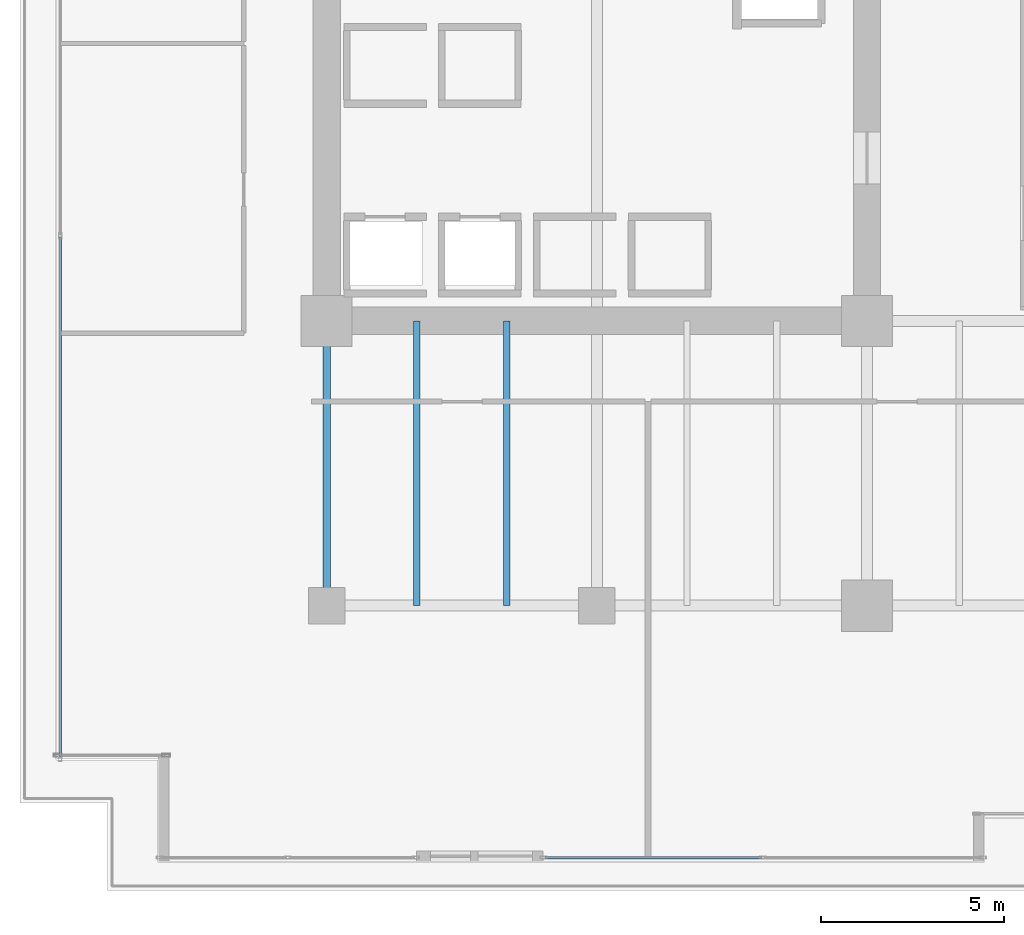
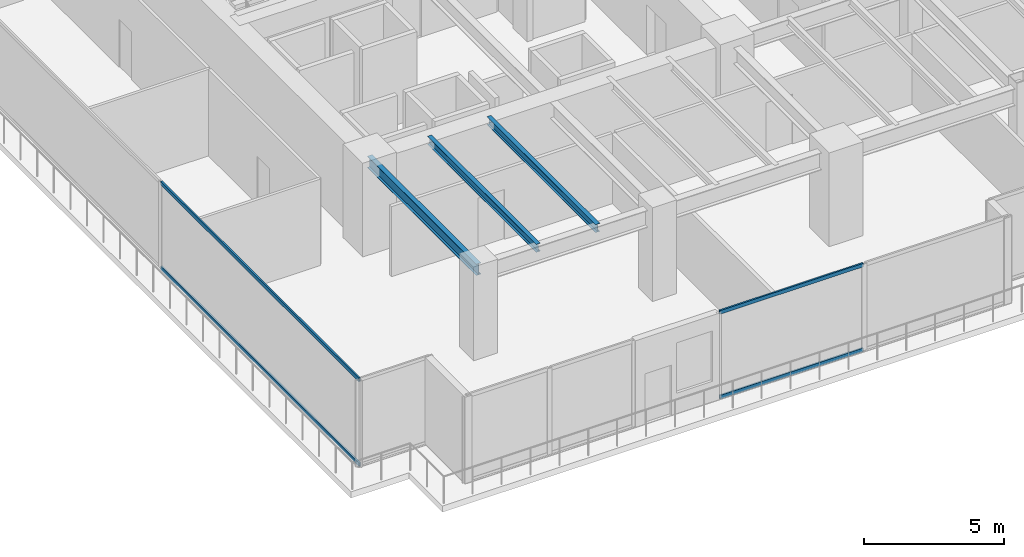
# One storey, part 3 of 36: 4 members, 3 beams, 2 elements without a shape of their own.
"""IFC4 building model written with IfcOpenShell, lengths in metres."""

from ifc_helpers import new_model, si_unit, direction, frame, origin, origin_2d, place, context, subcontext, project, spatial, hollow_rectangle, i_section, extrude, source, transform, mapped, material, layer, layer_set, material_profile, profile_set, type_object, type_shapes, element, aggregate, save


model = new_model("IFC4")

# Units and contexts
model_context = context("Model", 3, precision=1e-05, world=origin(), true_north=direction((0.0, 1.0)))
body_context = subcontext(model_context, "Body", "Model", "MODEL_VIEW")
ifc_project = project(units=[si_unit("LENGTHUNIT", "METRE"), si_unit("AREAUNIT", "SQUARE_METRE"), si_unit("VOLUMEUNIT", "CUBIC_METRE"), si_unit("PLANEANGLEUNIT", "RADIAN"), si_unit("MASSUNIT", "GRAM", prefix="KILO")], contexts=[model_context])

# Site, building, storey
site_placement = place(None, origin())
site = spatial("IfcSite", under=ifc_project, at=site_placement, CompositionType="ELEMENT")
building_placement = place(site_placement, origin())
building = spatial("IfcBuilding", under=site, at=building_placement, Name="Haelvirn Gate Laboratories", CompositionType="ELEMENT")
storey_placement = place(building_placement, frame((0.0, 0.0, 25.199951171875)))
storey = spatial("IfcBuildingStorey", under=building, at=storey_placement, Name="L06", CompositionType="ELEMENT", Elevation=25.199951171875)

# Beams
ifc_material_1 = material(Name="Steel SM355", Category="steel")
ifc_material_profile_1 = material_profile(ifc_material_1, i_section(OverallWidth=0.199951171875, OverallDepth=0.5, WebThickness=0.010009765625, FlangeThickness=0.01611328125, at=origin_2d()), Name="H-500x200x10x16")
ifc_profile_set_1 = profile_set([ifc_material_profile_1], Name="Steel SM355")
beam_type_1 = type_object("IfcBeamType", Name="BM-SP-500", PredefinedType="SPANDREL", material=ifc_profile_set_1)
shared_shape_1 = source(origin(), body_context, "Body", "SweptSolid", [
    extrude(i_section(OverallWidth=0.199951171875, OverallDepth=0.5, WebThickness=0.010009765625, FlangeThickness=0.01611328125, at=origin_2d()), origin(), (0.0, 0.0, 1.0), 7.800048828125),
])
type_shapes(beam_type_1, [shared_shape_1])
beam_placement = place(storey_placement, frame((7.39990234375, 7.0, 3.530029296875), z_axis=(0.0, 1.0, 0.0), x_axis=(-1.0, 0.0, 0.0)))
element("IfcBeam", 1, at=beam_placement, inside=storey, type_object=beam_type_1, Name="L06 Perimeter Spandrel X7.4 (7.0-14.8)", PredefinedType="SPANDREL", context=body_context, shape_type="MappedRepresentation", body=[
    mapped(shared_shape_1, transform((0.0, 0.0, 0.0), scale=1.0)),
])
ifc_material_profile_2 = material_profile(ifc_material_1, i_section(OverallWidth=0.175048828125, OverallDepth=0.35009765625, WebThickness=0.007080078125, FlangeThickness=0.010986328125, at=origin_2d()), Name="H-350x175x7x11")
ifc_profile_set_2 = profile_set([ifc_material_profile_2], Name="Steel SM355")
beam_type_2 = type_object("IfcBeamType", Name="BM-J-350", PredefinedType="JOIST", material=ifc_profile_set_2)
shared_shape_2 = source(origin(), body_context, "Body", "SweptSolid", [
    extrude(i_section(OverallWidth=0.175048828125, OverallDepth=0.35009765625, WebThickness=0.007080078125, FlangeThickness=0.010986328125, at=origin_2d()), origin(), (0.0, 0.0, 1.0), 7.800048828125),
])
type_shapes(beam_type_2, [shared_shape_2])
for number, where, z_axis, x_axis, name in (
    (2, (9.8701171875, 7.0, 3.60498046875), (0.0, 1.0, 0.0), (-1.0, 0.0, 0.0), "L06 Composite Lab Joist South X9.87"),
    (3, (12.330078125, 7.0, 3.60498046875), (0.0, 1.0, 0.0), (-1.0, 0.0, 0.0), "L06 Composite Lab Joist South X12.33"),
):
    element("IfcBeam", number, at=place(storey_placement, frame(where, z_axis=z_axis, x_axis=x_axis)), inside=storey, type_object=beam_type_2, Name=name, PredefinedType="JOIST", context=body_context, shape_type="MappedRepresentation", body=[
        mapped(shared_shape_2, transform((0.0, 0.0, 0.0), scale=1.0)),
    ])

# Curtain wall, members
ifc_material_2 = material(Name="Anodised bronze unitised aluminium & triple low-E glass", Category="aluminium")
ifc_layer = layer(ifc_material_2, 0.18408203125, Name="CW-SYS-2")
ifc_layer_set = layer_set([ifc_layer], Name="Anodised bronze unitised aluminium & triple low-E glass")
curtain_wall_type = type_object("IfcCurtainWallType", Name="CW-SYS-2", PredefinedType="NOTDEFINED", material=ifc_layer_set)
curtain_wall_1_placement = place(storey_placement, origin())
curtain_wall_1 = element("IfcCurtainWall", 4, at=curtain_wall_1_placement, inside=storey, type_object=curtain_wall_type, Name="L06 Unitised Curtain Wall CW-L06-P0-E00-2", PredefinedType="NOTDEFINED")
ifc_material_3 = material(Name="Extruded aluminium 6063-T6 (anodised bronze)", Category="aluminium")
ifc_material_profile_3 = material_profile(ifc_material_3, hollow_rectangle(XDim=0.070068359375, YDim=0.159912109375, WallThickness=0.0048828125, at=origin_2d()), Name="CWT-160x70x5")
ifc_profile_set_3 = profile_set([ifc_material_profile_3], Name="Extruded aluminium 6063-T6 (anodised bronze)")
member_type = type_object("IfcMemberType", Name="CWT-T160", PredefinedType="USERDEFINED", material=ifc_profile_set_3)
shared_shape_3 = source(origin(), body_context, "Body", "SweptSolid", [
    extrude(hollow_rectangle(XDim=0.070068359375, YDim=0.159912109375, WallThickness=0.0048828125, at=origin_2d()), origin(), (0.0, 0.0, 1.0), 5.932373046875),
])
member_1_placement = place(storey_placement, frame((13.385009765625, 0.10009765625, 0.03515625), z_axis=(1.0, 0.0, 0.0), x_axis=(0.0, 1.0, 0.0)))
member_1 = element("IfcMember", 5, at=member_1_placement, type_object=member_type, Name="CW2 transom 1.1", ObjectType="TRANSOM", PredefinedType="USERDEFINED", context=body_context, shape_type="MappedRepresentation", body=[
    mapped(shared_shape_3, transform((0.0, 0.0, 0.0), scale=1.0)),
])
member_2_placement = place(storey_placement, frame((13.385009765625, 0.10009765625, 3.7451171875), z_axis=(1.0, 0.0, 0.0), x_axis=(0.0, 1.0, 0.0)))
member_2 = element("IfcMember", 6, at=member_2_placement, type_object=member_type, Name="CW2 transom 1.2", ObjectType="TRANSOM", PredefinedType="USERDEFINED", context=body_context, shape_type="MappedRepresentation", body=[
    mapped(shared_shape_3, transform((0.0, 0.0, 0.0), scale=1.0)),
])
aggregate(curtain_wall_1, [member_1, member_2])

curtain_wall_2_placement = place(storey_placement, origin())
curtain_wall_2 = element("IfcCurtainWall", 7, at=curtain_wall_2_placement, inside=storey, type_object=curtain_wall_type, Name="L06 Unitised Curtain Wall CW-L06-P0-E17", PredefinedType="NOTDEFINED")
shared_shape_4 = source(origin(), body_context, "Body", "SweptSolid", [
    extrude(hollow_rectangle(XDim=0.070068359375, YDim=0.159912109375, WallThickness=0.0048828125, at=origin_2d()), origin(), (0.0, 0.0, 1.0), 14.220947265625),
])
type_shapes(member_type, [shared_shape_3, shared_shape_4])
member_3_placement = place(storey_placement, frame((0.10009765625, 17.095947265625, 0.03515625), z_axis=(0.0, -1.0, 0.0), x_axis=(1.0, 0.0, 0.0)))
member_3 = element("IfcMember", 8, at=member_3_placement, type_object=member_type, Name="CW2 transom 3.1", ObjectType="TRANSOM", PredefinedType="USERDEFINED", context=body_context, shape_type="MappedRepresentation", body=[
    mapped(shared_shape_4, transform((0.0, 0.0, 0.0), scale=1.0)),
])
member_4_placement = place(storey_placement, frame((0.10009765625, 17.095947265625, 3.7451171875), z_axis=(0.0, -1.0, 0.0), x_axis=(1.0, 0.0, 0.0)))
member_4 = element("IfcMember", 9, at=member_4_placement, type_object=member_type, Name="CW2 transom 3.2", ObjectType="TRANSOM", PredefinedType="USERDEFINED", context=body_context, shape_type="MappedRepresentation", body=[
    mapped(shared_shape_4, transform((0.0, 0.0, 0.0), scale=1.0)),
])
aggregate(curtain_wall_2, [member_3, member_4])

save(model, "model.ifc")
